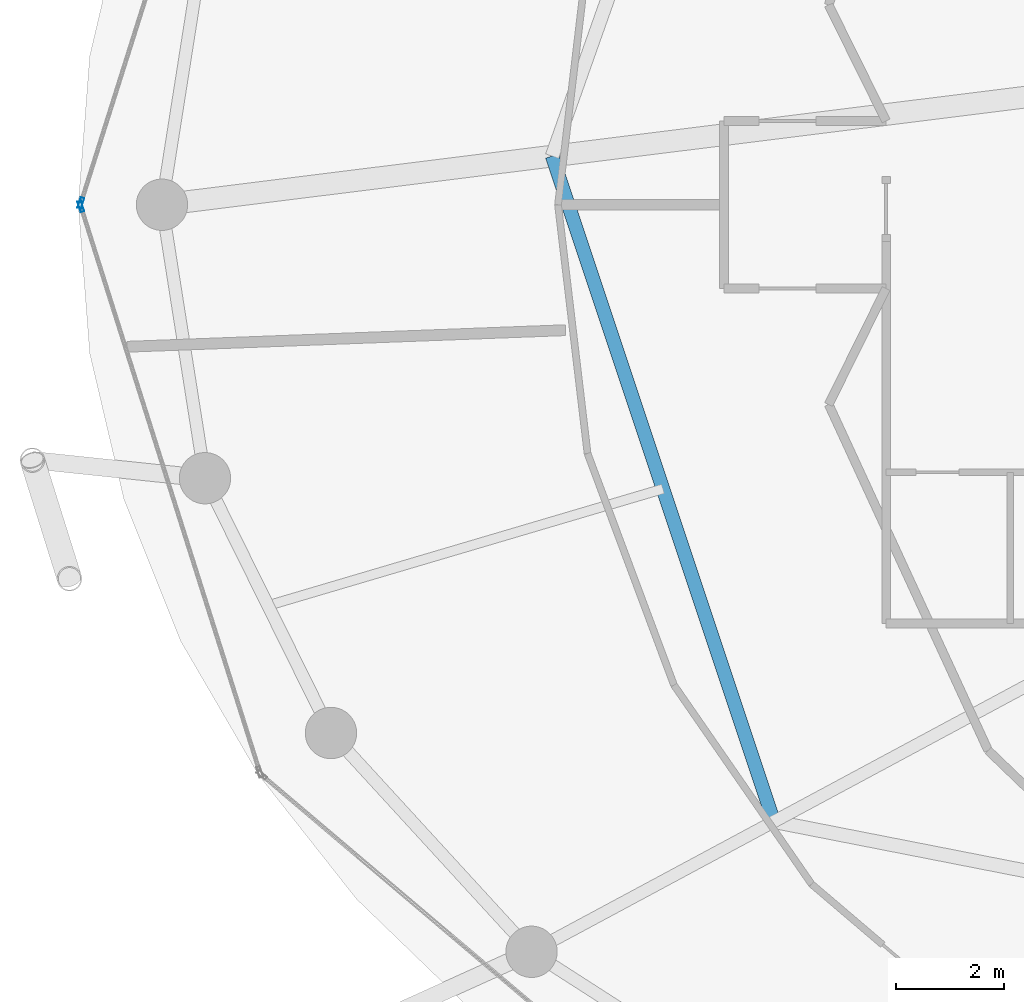
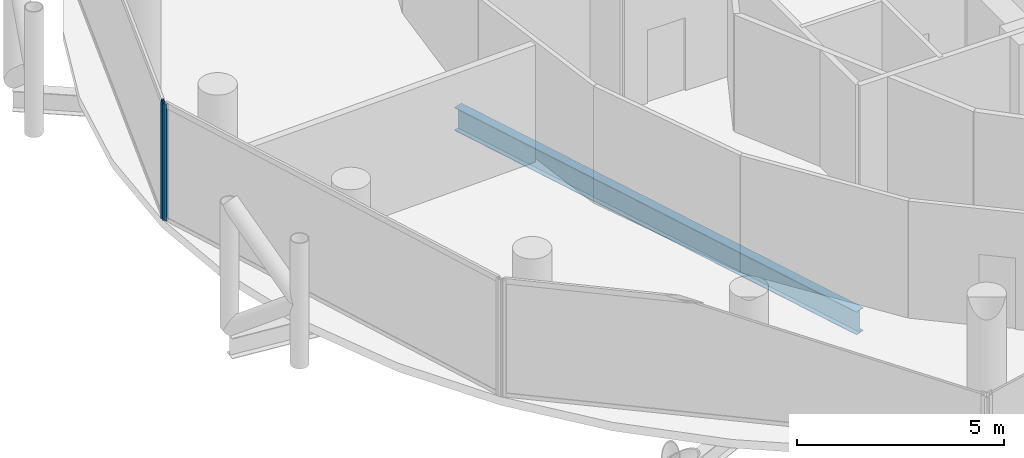
# One storey, part 6 of 26: 2 members, 1 beam, 2 elements without a shape of their own.
"""IFC4 building model written with IfcOpenShell, lengths in metres."""

import ifcopenshell
import ifcopenshell.guid

model = None  # the IFC model being written
_history = None  # IfcOwnerHistory: only IFC2X3 demands one
_inside = {}  # id of a spatial element -> (the spatial element, [elements in it])
_under = {}  # id of a project, library or spatial element -> (it, [spatial elements below it])
_declared = {}  # id of a project -> (the project, [libraries it declares])
_typed = {}  # id of a type object -> (the type object, [elements of that type])
_made_of = {}  # id of a material, layer set ... -> (it, [elements and type objects made of it])


def new_model(schema):
    """Start an empty IFC model of exactly this schema.

    Asked for "IFC4X3", IfcOpenShell would pick the latest addendum, in which some entities
    have other attributes; the version numbers below select the first issue.
    IFC2X3 requires an IfcOwnerHistory on every rooted entity: one is made here for all.
    """
    global model, _history
    if schema == "IFC4X3":
        model = ifcopenshell.file(schema_version=(4, 3, 0, 0))
    else:
        model = ifcopenshell.file(schema=schema)
    _inside.clear()
    _under.clear()
    _declared.clear()
    _typed.clear()
    _made_of.clear()
    _history = None
    if model.schema == "IFC2X3":
        org = make("IfcOrganization", Name="unknown")
        user = make(
            "IfcPersonAndOrganization",
            ThePerson=make("IfcPerson", FamilyName="unknown"),
            TheOrganization=org,
        )
        app = make(
            "IfcApplication",
            ApplicationDeveloper=org,
            Version="unknown",
            ApplicationFullName="unknown",
            ApplicationIdentifier="unknown",
        )
        _history = make(
            "IfcOwnerHistory",
            OwningUser=user,
            OwningApplication=app,
            ChangeAction="ADDED",
            CreationDate=0,
        )
    return model


def make(cls, **values):
    """One entity of the class cls with the attributes given. An attribute that is None is left unset."""
    return model.create_entity(
        cls, **{name: value for name, value in values.items() if value is not None}
    )


def rooted(cls, **values):
    """An entity with a GlobalId (a new one), such as an element, a storey or a relation."""
    return make(cls, GlobalId=ifcopenshell.guid.new(), OwnerHistory=_history, **values)


def si_unit(unit_type, name, prefix=None):
    """IfcSIUnit, for example si_unit("LENGTHUNIT", "METRE", prefix="MILLI")."""
    return make("IfcSIUnit", UnitType=unit_type, Prefix=prefix, Name=name)


def assignment(units):
    """IfcUnitAssignment: the units of a project."""
    return None if units is None else make("IfcUnitAssignment", Units=units)


def point(xyz):
    """IfcCartesianPoint."""
    return None if xyz is None else make("IfcCartesianPoint", Coordinates=xyz)


def direction(xyz):
    """IfcDirection."""
    return None if xyz is None else make("IfcDirection", DirectionRatios=xyz)


def frame(location, z_axis=None, x_axis=None):
    """IfcAxis2Placement3D, a coordinate frame: its origin and axes. An axis left out is left unset."""
    return make(
        "IfcAxis2Placement3D",
        Location=point(location),
        Axis=direction(z_axis),
        RefDirection=direction(x_axis),
    )


def frame_2d(location, x_axis=None):
    """IfcAxis2Placement2D, a coordinate frame in the plane: its origin and x axis."""
    return make(
        "IfcAxis2Placement2D", Location=point(location), RefDirection=direction(x_axis)
    )


def origin():
    """The frame at (0, 0, 0) with its axes left unset."""
    return frame((0.0, 0.0, 0.0))


def origin_2d():
    """The frame at (0, 0) in the plane with its x axis left unset."""
    return frame_2d((0.0, 0.0))


def place(relative_to, where):
    """IfcLocalPlacement: puts the frame where relative to a parent placement (None: the world)."""
    return make(
        "IfcLocalPlacement", PlacementRelTo=relative_to, RelativePlacement=where
    )


def context(
    kind, dimensions, precision=None, world=None, true_north=None, identifier=None
):
    """IfcGeometricRepresentationContext, for example the 3D "Model" context."""
    return make(
        "IfcGeometricRepresentationContext",
        ContextIdentifier=identifier,
        ContextType=kind,
        CoordinateSpaceDimension=dimensions,
        Precision=precision,
        WorldCoordinateSystem=world,
        TrueNorth=true_north,
    )


def subcontext(parent, identifier, kind, view, scale=None):
    """IfcGeometricRepresentationSubContext, for example "Body" below "Model"."""
    return make(
        "IfcGeometricRepresentationSubContext",
        ContextIdentifier=identifier,
        ContextType=kind,
        ParentContext=parent,
        TargetScale=scale,
        TargetView=view,
    )


def project(units=None, contexts=None):
    """IfcProject with its units and contexts."""
    return rooted(
        "IfcProject",
        Name="project",
        RepresentationContexts=contexts,
        UnitsInContext=assignment(units),
    )


def spatial(cls, under=None, at=None, **own):
    """A site, building, storey or space (cls), placed at a placement, below another one or the project."""
    s = rooted(cls, ObjectPlacement=at, **own)
    if under is not None:
        _under.setdefault(under.id(), (under, []))[1].append(s)
    return s


def profile(cls, at=None, kind="AREA", **sizes):
    """A parametric profile (cls). Its sizes go by their IFC names, for example OverallWidth=200.0."""
    return make(cls, ProfileType=kind, Position=at, **sizes)


def hollow_rectangle(**sizes):
    """IfcRectangleHollowProfileDef."""
    return profile("IfcRectangleHollowProfileDef", **sizes)


def i_section(**sizes):
    """IfcIShapeProfileDef."""
    return profile("IfcIShapeProfileDef", **sizes)


def extrude(swept, where, along, depth):
    """IfcExtrudedAreaSolid: the profile swept, set in the frame where, extruded along a direction by depth."""
    return make(
        "IfcExtrudedAreaSolid",
        SweptArea=swept,
        Position=where,
        ExtrudedDirection=direction(along),
        Depth=depth,
    )


def shape(context_of_items, identifier, shape_type, items):
    """IfcShapeRepresentation: the items that make up one representation, for example the "Body"."""
    return make(
        "IfcShapeRepresentation",
        ContextOfItems=context_of_items,
        RepresentationIdentifier=identifier,
        RepresentationType=shape_type,
        Items=items,
    )


def material(Name=None, Category=None):
    """IfcMaterial."""
    return make("IfcMaterial", Name=Name, Category=Category)


def layer(
    of_material, thickness, ventilated=None, Name=None, Category=None, Priority=None
):
    """IfcMaterialLayer: one layer of a wall or slab, of a material (None: an air gap)."""
    return make(
        "IfcMaterialLayer",
        Material=of_material,
        LayerThickness=thickness,
        IsVentilated=ventilated,
        Name=Name,
        Category=Category,
        Priority=Priority,
    )


def layer_set(layers, Name=None):
    """IfcMaterialLayerSet."""
    return make("IfcMaterialLayerSet", MaterialLayers=layers, LayerSetName=Name)


def material_profile(
    of_material, cross_section, Name=None, Category=None, Priority=None
):
    """IfcMaterialProfile: a cross section and its material."""
    return make(
        "IfcMaterialProfile",
        Name=Name,
        Material=of_material,
        Profile=cross_section,
        Priority=Priority,
        Category=Category,
    )


def profile_set(profiles, Name=None, composite=None):
    """IfcMaterialProfileSet."""
    return make(
        "IfcMaterialProfileSet",
        Name=Name,
        MaterialProfiles=profiles,
        CompositeProfile=composite,
    )


def made_of(thing, what):
    """Note that an element or type object is made of a material, layer set ...; save() writes the relation."""
    if what is not None:
        _made_of.setdefault(what.id(), (what, []))[1].append(thing)
    return thing


def type_object(cls, material=None, **own):
    """A type object (cls), such as IfcWallType, which elements share."""
    return made_of(rooted(cls, **own), material)


def element(
    cls,
    number,
    at=None,
    inside=None,
    cuts=None,
    type_object=None,
    material=None,
    context=None,
    identifier="Body",
    shape_type=None,
    held_by="IfcProductDefinitionShape",
    body=None,
    shapes=None,
    **own,
):
    """One element of the class cls, such as IfcWall. Its Tag is "e" and its number.

    at: its placement. inside: the storey or other place that contains it. cuts: it is an
    opening in that element (IfcRelVoidsElement). A single representation is given by context,
    identifier, shape_type and body (its items); several are given by shapes. held_by: the class
    of the entity that holds the representations. save() writes the other relations.
    """
    e = rooted(cls, Tag="e%d" % number, ObjectPlacement=at, **own)
    if body is not None:
        shapes = [shape(context, identifier, shape_type, body)]
    if shapes is not None:
        e.Representation = make(held_by, Representations=shapes)
    if inside is not None:
        _inside.setdefault(inside.id(), (inside, []))[1].append(e)
    if cuts is not None:
        rooted(
            "IfcRelVoidsElement", RelatingBuildingElement=cuts, RelatedOpeningElement=e
        )
    if type_object is not None:
        _typed.setdefault(type_object.id(), (type_object, []))[1].append(e)
    return made_of(e, material)


def aggregate(whole, parts):
    """IfcRelAggregates: a whole, such as a stair, and the parts it consists of."""
    return rooted("IfcRelAggregates", RelatingObject=whole, RelatedObjects=parts)


def save(model, path):
    """Write the relations noted so far, then the file.

    IfcRelAggregates (storeys below a building ...), IfcRelContainedInSpatialStructure (elements
    in a storey), IfcRelDefinesByType, IfcRelAssociatesMaterial and IfcRelDeclares: one each for
    every whole, place, type object, material and project.
    """
    for whole, parts in _under.values():
        aggregate(whole, parts)
    for where, things in _inside.values():
        rooted(
            "IfcRelContainedInSpatialStructure",
            RelatedElements=things,
            RelatingStructure=where,
        )
    for kind, things in _typed.values():
        rooted("IfcRelDefinesByType", RelatedObjects=things, RelatingType=kind)
    for what, things in _made_of.values():
        rooted("IfcRelAssociatesMaterial", RelatedObjects=things, RelatingMaterial=what)
    for by, libraries in _declared.values():
        rooted("IfcRelDeclares", RelatingContext=by, RelatedDefinitions=libraries)
    model.write(path)


model = new_model("IFC4")

# Units and contexts
model_context = context("Model", 3, precision=1e-05, world=origin(), true_north=direction((0.0, 1.0)))
body_context = subcontext(model_context, "Body", "Model", "MODEL_VIEW")
ifc_project = project(units=[si_unit("LENGTHUNIT", "METRE"), si_unit("AREAUNIT", "SQUARE_METRE"), si_unit("VOLUMEUNIT", "CUBIC_METRE"), si_unit("PLANEANGLEUNIT", "RADIAN"), si_unit("MASSUNIT", "GRAM", prefix="KILO")], contexts=[model_context])

# Site, building, storey
site_placement = place(None, origin())
site = spatial("IfcSite", under=ifc_project, at=site_placement, CompositionType="ELEMENT")
building_placement = place(site_placement, origin())
building = spatial("IfcBuilding", under=site, at=building_placement, Name="Nuhasar Tower", CompositionType="ELEMENT")
storey_placement = place(building_placement, frame((0.0, 0.0, 136.75)))
storey = spatial("IfcBuildingStorey", under=building, at=storey_placement, Name="L32", CompositionType="ELEMENT", Elevation=136.75)

# Beam
ifc_material_1 = material(Name="Steel S355", Category="steel")
ifc_material_profile_1 = material_profile(ifc_material_1, i_section(OverallWidth=0.25390625, OverallDepth=0.68408203125, WebThickness=0.012451171875, FlangeThickness=0.018798828125, at=origin_2d()), Name="W27X94")
ifc_profile_set_1 = profile_set([ifc_material_profile_1], Name="Steel S355")
beam_type = type_object("IfcBeamType", Name="BM-INRING-W27X94", PredefinedType="BEAM", material=ifc_profile_set_1)
beam_placement = place(storey_placement, frame((22.8701171875, 27.699951171875, -0.592041015625), z_axis=(0.31609797573, -0.948726551615, 0.0), x_axis=(0.948726551615, 0.31609797573, 0.0)))
element("IfcBeam", 1, at=beam_placement, inside=storey, type_object=beam_type, Name="L32 Inner Header Beam 08", PredefinedType="BEAM", context=body_context, shape_type="SweptSolid", body=[
    extrude(i_section(OverallWidth=0.25390625, OverallDepth=0.68408203125, WebThickness=0.012451171875, FlangeThickness=0.018798828125, at=origin_2d()), origin(), (0.0, 0.0, 1.0), 12.9794921875),
])

# Curtain wall, member
ifc_material_2 = material(Name="Aluminium 6063-T6", Category="aluminium")
ifc_layer = layer(ifc_material_2, 0.199951171875)
ifc_layer_set = layer_set([ifc_layer], Name="Aluminium 6063-T6")
curtain_wall_type = type_object("IfcCurtainWallType", Name="CW-Z2-HTL", PredefinedType="NOTDEFINED", material=ifc_layer_set)
curtain_wall_1_placement = place(storey_placement, origin())
curtain_wall_1 = element("IfcCurtainWall", 2, at=curtain_wall_1_placement, inside=storey, type_object=curtain_wall_type, Name="L32 Unitised Curtain Wall 06", PredefinedType="NOTDEFINED")
ifc_material_profile_2 = material_profile(ifc_material_2, hollow_rectangle(XDim=0.070068359375, YDim=0.199951171875, WallThickness=0.0048828125, at=origin_2d()), Name="CWM-3")
ifc_profile_set_2 = profile_set([ifc_material_profile_2], Name="Aluminium 6063-T6")
member_type = type_object("IfcMemberType", Name="CW-MUL-S3", PredefinedType="MULLION", material=ifc_profile_set_2)
member_1_placement = place(storey_placement, frame((14.150634765625, 26.833251953125, 0.0), z_axis=(0.0, 0.0, 1.0), x_axis=(0.953433389233, -0.301603667577, 0.0)))
member_1 = element("IfcMember", 3, at=member_1_placement, type_object=member_type, Name="CW-Z2 mullion 2", PredefinedType="MULLION", context=body_context, shape_type="SweptSolid", body=[
    extrude(hollow_rectangle(XDim=0.070068359375, YDim=0.199951171875, WallThickness=0.0048828125, at=origin_2d()), origin(), (0.0, 0.0, 1.0), 3.449951171875),
])
aggregate(curtain_wall_1, [member_1])

curtain_wall_2_placement = place(storey_placement, origin())
curtain_wall_2 = element("IfcCurtainWall", 4, at=curtain_wall_2_placement, inside=storey, type_object=curtain_wall_type, Name="L32 Unitised Curtain Wall 07", PredefinedType="NOTDEFINED")
member_2_placement = place(storey_placement, frame((14.150634765625, 26.7666015625, 0.0), z_axis=(0.0, 0.0, 1.0), x_axis=(0.953433389233, 0.301603667577, 0.0)))
member_2 = element("IfcMember", 5, at=member_2_placement, type_object=member_type, Name="CW-Z2 mullion 1", PredefinedType="MULLION", context=body_context, shape_type="SweptSolid", body=[
    extrude(hollow_rectangle(XDim=0.070068359375, YDim=0.199951171875, WallThickness=0.0048828125, at=origin_2d()), origin(), (0.0, 0.0, 1.0), 3.449951171875),
])
aggregate(curtain_wall_2, [member_2])

save(model, "model.ifc")
